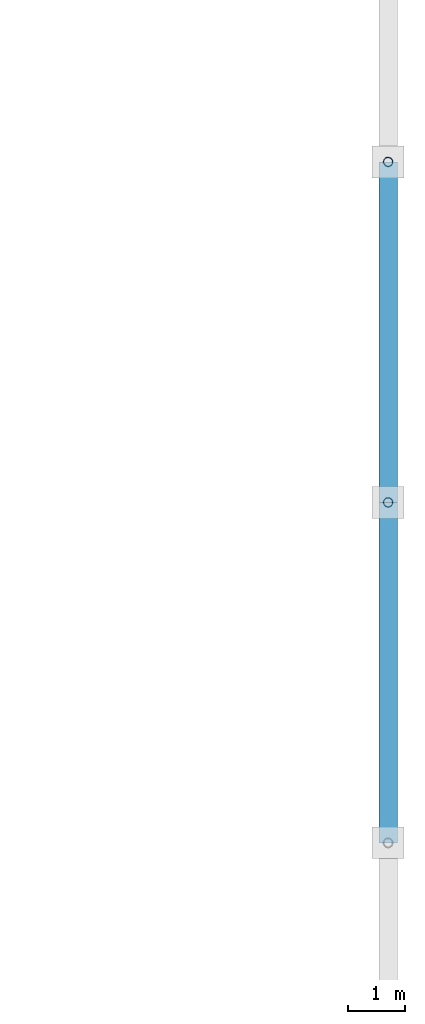
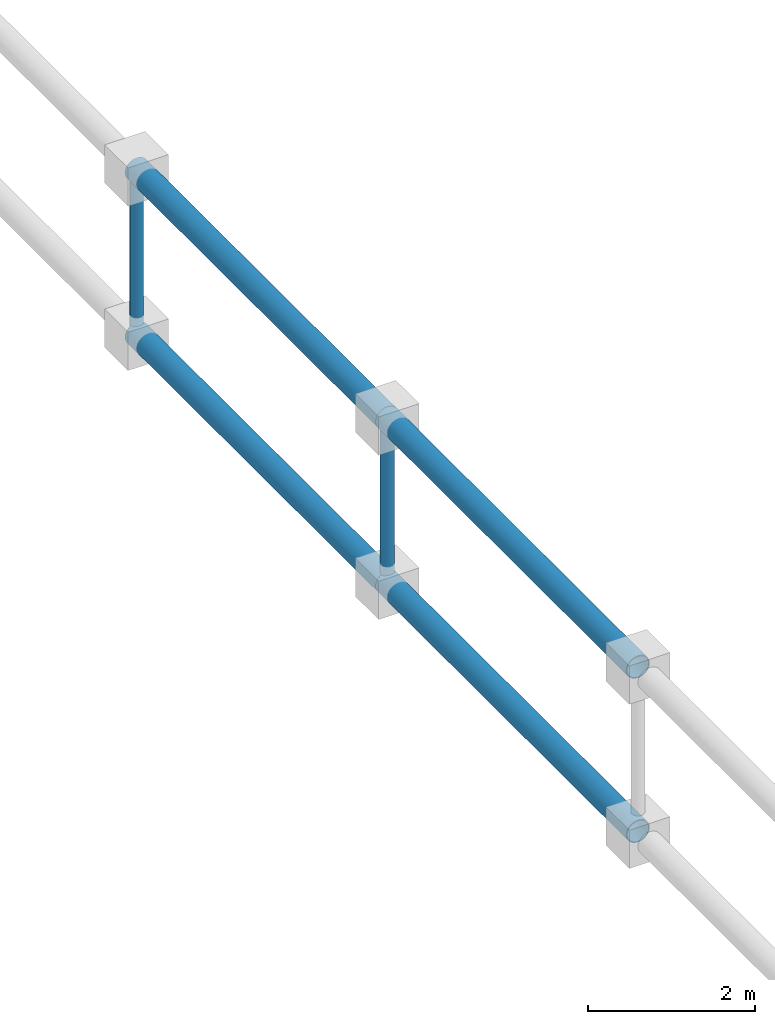
# One storey, part 93 of 148: 6 members.
"""IFC4 building model written with IfcOpenShell, lengths in metres."""

from ifc_helpers import new_model, si_unit, direction, frame, origin, origin_2d, place, context, subcontext, project, spatial, hollow_circle, extrude, material, material_profile, profile_set, type_object, element, save


model = new_model("IFC4")

# Units and contexts
model_context = context("Model", 3, precision=1e-05, world=origin(), true_north=direction((0.0, 1.0)))
body_context = subcontext(model_context, "Body", "Model", "MODEL_VIEW")
ifc_project = project(units=[si_unit("LENGTHUNIT", "METRE"), si_unit("AREAUNIT", "SQUARE_METRE"), si_unit("VOLUMEUNIT", "CUBIC_METRE"), si_unit("PLANEANGLEUNIT", "RADIAN"), si_unit("MASSUNIT", "GRAM", prefix="KILO")], contexts=[model_context])

# Site, building, storey
site_placement = place(None, origin())
site = spatial("IfcSite", under=ifc_project, at=site_placement, CompositionType="ELEMENT")
building_placement = place(site_placement, origin())
building = spatial("IfcBuilding", under=site, at=building_placement, Name="Trelvath General Hospital", CompositionType="ELEMENT")
storey_placement = place(building_placement, frame((0.0, 0.0, 12.89990234375)))
storey = spatial("IfcBuildingStorey", under=building, at=storey_placement, Name="L03", CompositionType="ELEMENT", Elevation=12.89990234375)

# Members
ifc_material_1 = material(Name="Steel S355", Category="steel")
ifc_material_profile_1 = material_profile(ifc_material_1, hollow_circle(Radius=0.084228515625, WallThickness=0.008056640625, at=origin_2d()), Name="CHS168.3x8.0")
ifc_profile_set_1 = profile_set([ifc_material_profile_1], Name="Steel S355")
member_type_1 = type_object("IfcMemberType", Name="SpaceFrameDiagStd CHS168", PredefinedType="BRACE", material=ifc_profile_set_1)
for number, where, z_axis, x_axis, name in (
    (1, (176.39990234375, 55.199951171875, 0.0), (0.0, 0.0, 1.0), (1.0, 0.0, 0.0), "Space Frame Web Post 7-6"),
    (2, (176.39990234375, 61.199951171875, 0.0), (0.0, 0.0, 1.0), (1.0, 0.0, 0.0), "Space Frame Web Post 7-7"),
):
    element("IfcMember", number, at=place(storey_placement, frame(where, z_axis=z_axis, x_axis=x_axis)), inside=storey, type_object=member_type_1, Name=name, PredefinedType="BRACE", context=body_context, shape_type="SweptSolid", body=[
        extrude(hollow_circle(Radius=0.084228515625, WallThickness=0.008056640625, at=origin_2d()), origin(), (0.0, 0.0, 1.0), 2.400146484375),
    ])
ifc_material_2 = material(Name="Steel S355", Category="steel")
ifc_material_profile_2 = material_profile(ifc_material_2, hollow_circle(Radius=0.161865234375, WallThickness=0.012451171875, at=origin_2d()), Name="CHS323.9x12.5")
ifc_profile_set_2 = profile_set([ifc_material_profile_2], Name="Steel S355")
member_type_2 = type_object("IfcMemberType", Name="SpaceFrameEdgeChord CHS323", PredefinedType="CHORD", material=ifc_profile_set_2)
for number, where, z_axis, x_axis, name in (
    (3, (176.39990234375, 49.199951171875, 0.0), (0.0, 1.0, 0.0), (-1.0, 0.0, 0.0), "Space Frame Bottom Chord Y 7-5"),
    (4, (176.39990234375, 49.199951171875, 2.400146484375), (0.0, 1.0, 0.0), (-1.0, 0.0, 0.0), "Space Frame Top Chord Y 7-5"),
    (5, (176.39990234375, 55.199951171875, 0.0), (0.0, 1.0, 0.0), (-1.0, 0.0, 0.0), "Space Frame Bottom Chord Y 7-6"),
    (6, (176.39990234375, 55.199951171875, 2.400146484375), (0.0, 1.0, 0.0), (-1.0, 0.0, 0.0), "Space Frame Top Chord Y 7-6"),
):
    element("IfcMember", number, at=place(storey_placement, frame(where, z_axis=z_axis, x_axis=x_axis)), inside=storey, type_object=member_type_2, Name=name, PredefinedType="CHORD", context=body_context, shape_type="SweptSolid", body=[
        extrude(hollow_circle(Radius=0.161865234375, WallThickness=0.012451171875, at=origin_2d()), origin(), (0.0, 0.0, 1.0), 6.0),
    ])

save(model, "model.ifc")
